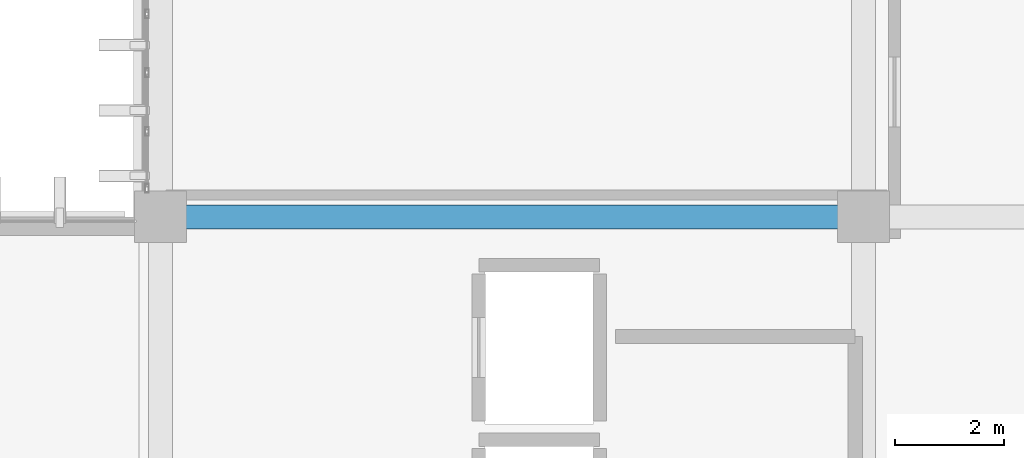
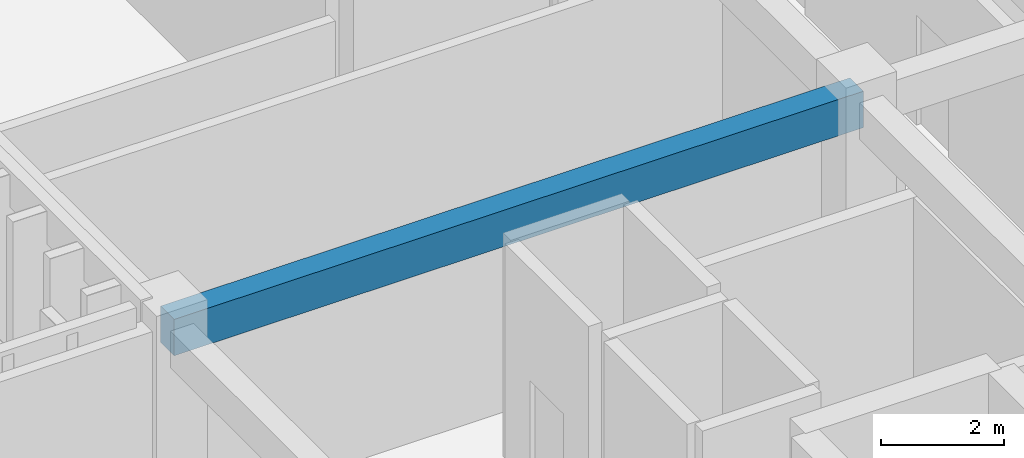
# One storey, part 76 of 133: 1 beam.
"""IFC4 building model written with IfcOpenShell, lengths in metres."""

from ifc_helpers import new_model, si_unit, direction, frame, origin, origin_2d, place, context, subcontext, project, spatial, rectangle, extrude, material, material_profile, profile_set, type_object, element, save


model = new_model("IFC4")

# Units and contexts
model_context = context("Model", 3, precision=1e-05, world=origin(), true_north=direction((0.0, 1.0)))
body_context = subcontext(model_context, "Body", "Model", "MODEL_VIEW")
ifc_project = project(units=[si_unit("LENGTHUNIT", "METRE"), si_unit("AREAUNIT", "SQUARE_METRE"), si_unit("VOLUMEUNIT", "CUBIC_METRE"), si_unit("PLANEANGLEUNIT", "RADIAN"), si_unit("MASSUNIT", "GRAM", prefix="KILO")], contexts=[model_context])

# Site, building, storey
site_placement = place(None, origin())
site = spatial("IfcSite", under=ifc_project, at=site_placement, CompositionType="ELEMENT")
building_placement = place(site_placement, origin())
building = spatial("IfcBuilding", under=site, at=building_placement, Name="Nakhvara Creek Congress Hotel", CompositionType="ELEMENT")
storey_placement = place(building_placement, frame((0.0, 0.0, 11.39990234375)))
storey = spatial("IfcBuildingStorey", under=building, at=storey_placement, Name="L02", CompositionType="ELEMENT", Elevation=11.39990234375)

# Beam
ifc_material = material(Name="Concrete C40/50", Category="concrete")
ifc_material_profile = material_profile(ifc_material, rectangle(XDim=0.43994140625, YDim=0.719970703125, at=origin_2d()), Name="RC-BM 440x720", Category="LoadBearing")
ifc_profile_set = profile_set([ifc_material_profile], Name="Concrete C40/50")
beam_type = type_object("IfcBeamType", Name="BM-RC-440X720", PredefinedType="BEAM", material=ifc_profile_set)
beam_placement = place(storey_placement, frame((149.449951171875, 96.0, 4.06005859375), z_axis=(1.0, 0.0, 0.0), x_axis=(0.0, 1.0, 0.0)))
element("IfcBeam", 1, at=beam_placement, inside=storey, type_object=beam_type, Name="Beam B12-L02-1594", PredefinedType="BEAM", context=body_context, shape_type="SweptSolid", body=[
    extrude(rectangle(XDim=0.43994140625, YDim=0.719970703125, at=origin_2d()), origin(), (0.0, 0.0, 1.0), 12.900146484375),
])

save(model, "model.ifc")
